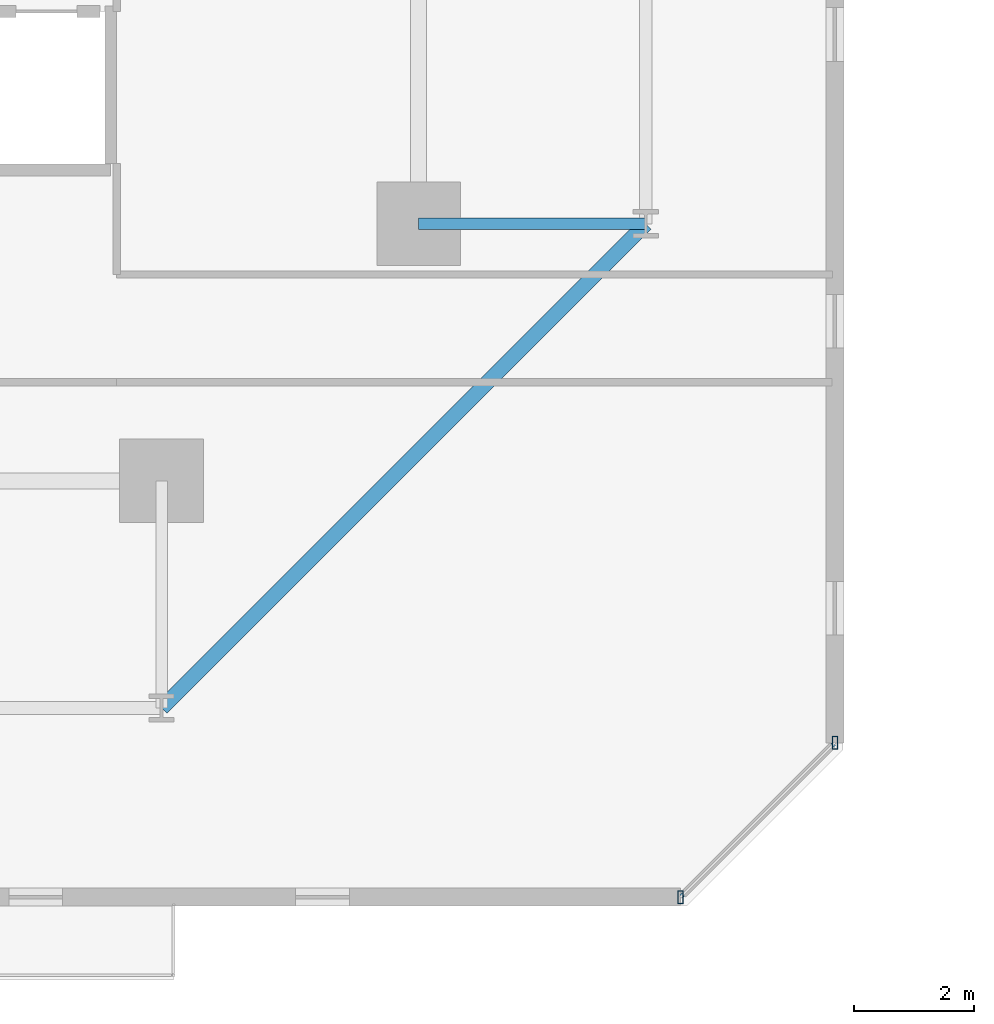
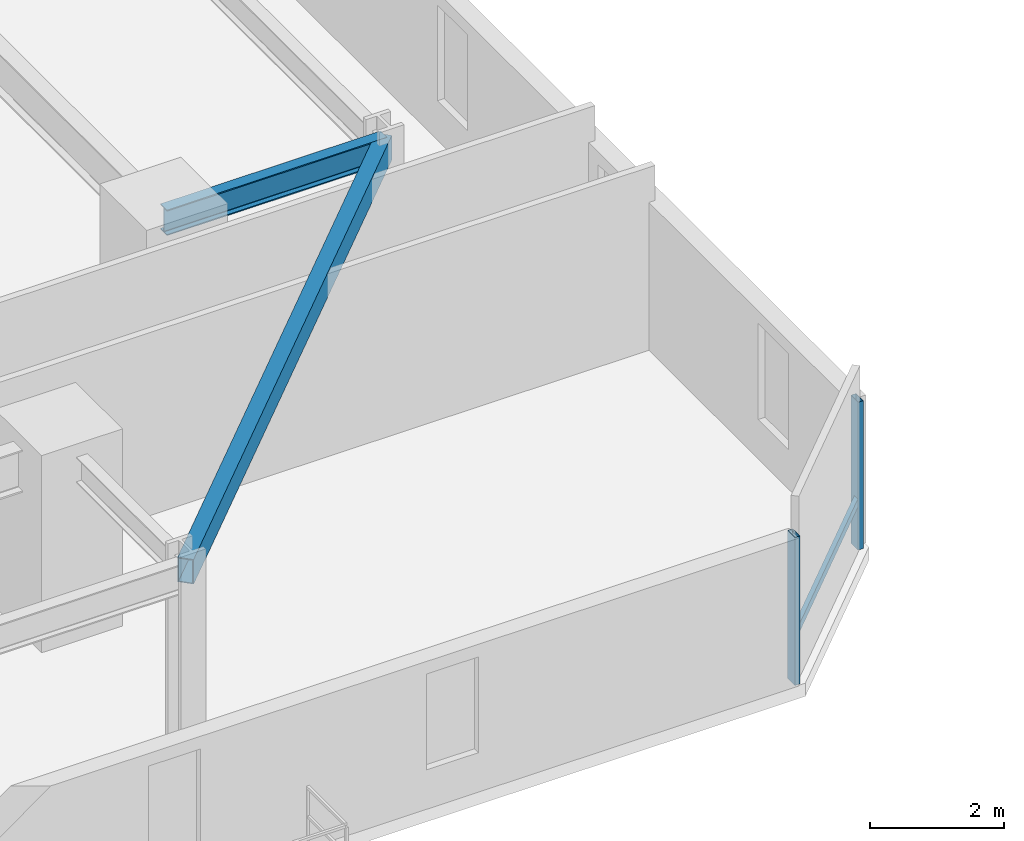
# One storey, part 5 of 35: 3 members, 2 beams, 1 element without a shape of its own.
"""IFC4 building model written with IfcOpenShell, lengths in metres."""

from ifc_helpers import new_model, si_unit, direction, frame, origin, origin_2d, place, context, subcontext, project, spatial, hollow_rectangle, i_section, extrude, material, material_profile, profile_set, type_object, element, aggregate, save


model = new_model("IFC4")

# Units and contexts
model_context = context("Model", 3, precision=1e-05, world=origin(), true_north=direction((0.0, 1.0)))
body_context = subcontext(model_context, "Body", "Model", "MODEL_VIEW")
ifc_project = project(units=[si_unit("LENGTHUNIT", "METRE"), si_unit("AREAUNIT", "SQUARE_METRE"), si_unit("VOLUMEUNIT", "CUBIC_METRE"), si_unit("PLANEANGLEUNIT", "RADIAN"), si_unit("MASSUNIT", "GRAM", prefix="KILO")], contexts=[model_context])

# Site, building, storey
site_placement = place(None, origin())
site = spatial("IfcSite", under=ifc_project, at=site_placement, CompositionType="ELEMENT")
building_placement = place(site_placement, origin())
building = spatial("IfcBuilding", under=site, at=building_placement, Name="Thornwick Lancets Civic Towers", CompositionType="ELEMENT")
storey_placement = place(building_placement, frame((0.0, 0.0, 64.5)))
storey = spatial("IfcBuildingStorey", under=building, at=storey_placement, Name="L16", CompositionType="ELEMENT", Elevation=64.5)

# Beams
ifc_material_1 = material(Name="Steel S355JR", Category="steel")
ifc_material_profile_1 = material_profile(ifc_material_1, i_section(OverallWidth=0.19287109375, OverallDepth=0.46728515625, WebThickness=0.011474609375, FlangeThickness=0.01953125, FilletRadius=0.01025390625, at=origin_2d()), Name="UKB 457x191x98")
ifc_profile_set_1 = profile_set([ifc_material_profile_1], Name="Steel S355JR")
beam_type_1 = type_object("IfcBeamType", Name="BM_JOIST_457_98", PredefinedType="JOIST", material=ifc_profile_set_1)
beam_1_placement = place(storey_placement, frame((42.800048828125, 14.0, 3.12646484375), z_axis=(1.0, 0.0, 0.0), x_axis=(0.0, 1.0, 0.0)))
element("IfcBeam", 1, at=beam_1_placement, inside=storey, type_object=beam_type_1, Name="BM-RAD-L16-A04", PredefinedType="JOIST", context=body_context, shape_type="SweptSolid", body=[
    extrude(i_section(OverallWidth=0.19287109375, OverallDepth=0.46728515625, WebThickness=0.011474609375, FlangeThickness=0.01953125, FilletRadius=0.01025390625, at=origin_2d()), origin(), (0.0, 0.0, 1.0), 3.800048828125),
])
ifc_material_profile_2 = material_profile(ifc_material_1, hollow_rectangle(XDim=0.25, YDim=0.449951171875, WallThickness=0.01611328125, at=origin_2d()), Name="RHS 450x250x16")
ifc_profile_set_2 = profile_set([ifc_material_profile_2], Name="Steel S355JR")
beam_type_2 = type_object("IfcBeamType", Name="BM_RING_RHS450", PredefinedType="BEAM", material=ifc_profile_set_2)
beam_2_placement = place(storey_placement, frame((38.5, 5.89990234375, 3.135009765625), z_axis=(0.707106781187, 0.707106781187, 0.0), x_axis=(-0.707106781187, 0.707106781187, 0.0)))
element("IfcBeam", 2, at=beam_2_placement, inside=storey, type_object=beam_type_2, Name="BM-CHAMF-L16-A-C0", PredefinedType="BEAM", context=body_context, shape_type="SweptSolid", body=[
    extrude(hollow_rectangle(XDim=0.25, YDim=0.449951171875, WallThickness=0.01611328125, at=origin_2d()), origin(), (0.0, 0.0, 1.0), 11.455322265625),
])

# Curtain wall, members
ifc_material_2 = material(Name="Low-zone chamfered-corner unitised glass curtain wall", Category="glass")
curtain_wall_type = type_object("IfcCurtainWallType", Name="CW_SYS_03", PredefinedType="NOTDEFINED", material=ifc_material_2)
curtain_wall_placement = place(storey_placement, origin())
curtain_wall = element("IfcCurtainWall", 3, at=curtain_wall_placement, inside=storey, type_object=curtain_wall_type, Name="L16 Curtain Wall CW-L16-A-E1", PredefinedType="NOTDEFINED")
ifc_material_3 = material(Name="Thermally broken bronze aluminium S355", Category="steel")
ifc_material_profile_3 = material_profile(ifc_material_3, hollow_rectangle(XDim=0.090087890625, YDim=0.219970703125, WallThickness=0.00634765625, at=origin_2d()), Name="RHS 220x90x6.3")
ifc_profile_set_3 = profile_set([ifc_material_profile_3], Name="Thermally broken bronze aluminium S355")
member_type_1 = type_object("IfcMemberType", Name="CW_MUL_220", PredefinedType="MULLION", material=ifc_profile_set_3)
member_1_placement = place(storey_placement, frame((47.18115234375, 2.735107421875, 0.0), z_axis=(0.0, 0.0, 1.0), x_axis=(1.0, 0.0, 0.0)))
member_1 = element("IfcMember", 4, at=member_1_placement, type_object=member_type_1, Name="CW-L16-A-E1 Mullion 0", PredefinedType="MULLION", context=body_context, shape_type="SweptSolid", body=[
    extrude(hollow_rectangle(XDim=0.090087890625, YDim=0.219970703125, WallThickness=0.00634765625, at=origin_2d()), origin(), (0.0, 0.0, 1.0), 2.699951171875),
])
member_2_placement = place(storey_placement, frame((49.764892578125, 5.31884765625, 0.0), z_axis=(0.0, 0.0, 1.0), x_axis=(1.0, 0.0, 0.0)))
member_2 = element("IfcMember", 5, at=member_2_placement, type_object=member_type_1, Name="CW-L16-A-E1 Mullion 1", PredefinedType="MULLION", context=body_context, shape_type="SweptSolid", body=[
    extrude(hollow_rectangle(XDim=0.090087890625, YDim=0.219970703125, WallThickness=0.00634765625, at=origin_2d()), origin(), (0.0, 0.0, 1.0), 2.699951171875),
])
ifc_material_profile_4 = material_profile(ifc_material_3, hollow_rectangle(XDim=0.074951171875, YDim=0.14990234375, WallThickness=0.0048828125, at=origin_2d()), Name="RHS 150x75x5")
ifc_profile_set_4 = profile_set([ifc_material_profile_4], Name="Thermally broken bronze aluminium S355")
member_type_2 = type_object("IfcMemberType", Name="CW_TRN_150", PredefinedType="USERDEFINED", material=ifc_profile_set_4)
member_3_placement = place(storey_placement, frame((47.1953125, 2.749267578125, 0.85009765625), z_axis=(0.707106781187, 0.707106781187, 0.0), x_axis=(-0.707106781187, 0.707106781187, 0.0)))
member_3 = element("IfcMember", 6, at=member_3_placement, type_object=member_type_2, Name="CW-L16-A-E1 Transom 0", ObjectType="TRANSOM", PredefinedType="USERDEFINED", context=body_context, shape_type="SweptSolid", body=[
    extrude(hollow_rectangle(XDim=0.074951171875, YDim=0.14990234375, WallThickness=0.0048828125, at=origin_2d()), origin(), (0.0, 0.0, 1.0), 3.614013671875),
])
aggregate(curtain_wall, [member_1, member_2, member_3])

save(model, "model.ifc")
